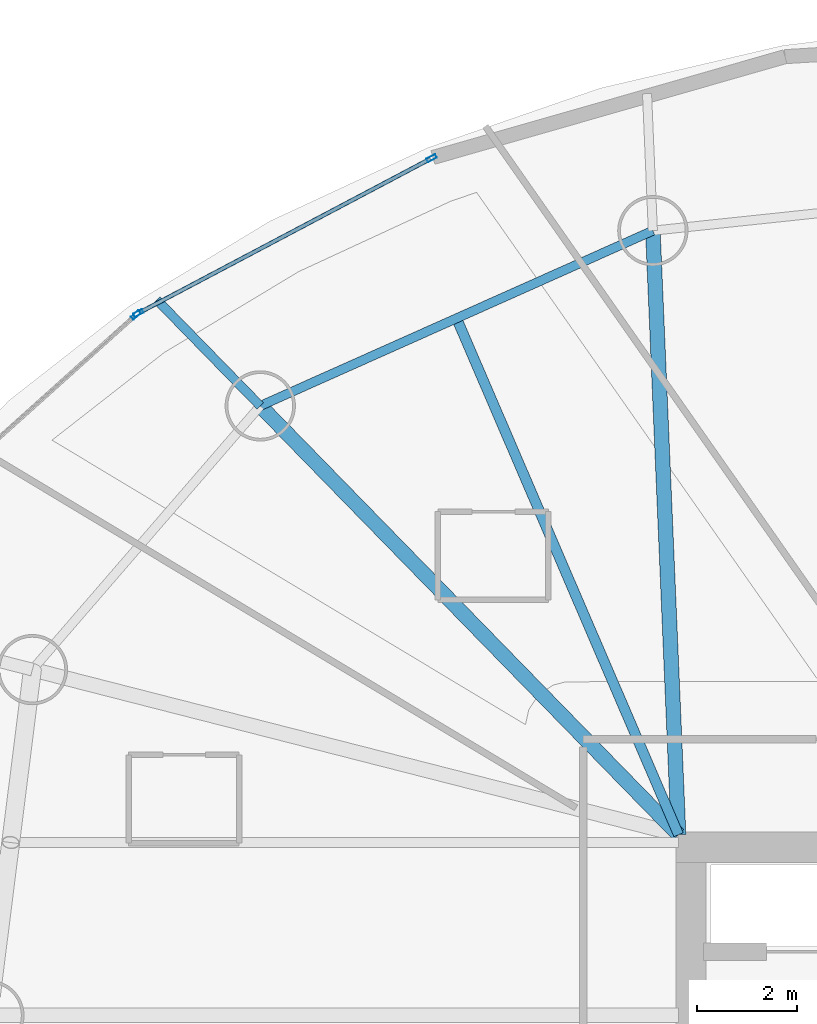
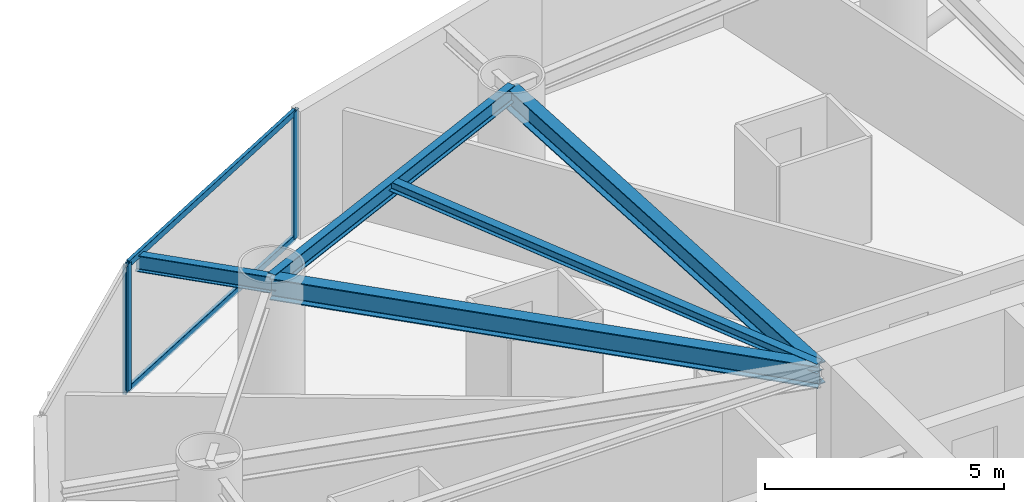
# One storey, part 9 of 20: 5 beams, 5 members, 2 elements without a shape of their own.
"""IFC4 building model written with IfcOpenShell, lengths in metres."""

from ifc_helpers import new_model, si_unit, direction, frame, origin, origin_2d, place, context, subcontext, project, spatial, hollow_rectangle, i_section, extrude, material, layer, layer_set, material_profile, profile_set, type_object, element, aggregate, save


model = new_model("IFC4")

# Units and contexts
model_context = context("Model", 3, precision=1e-05, world=origin(), true_north=direction((0.0, 1.0)))
body_context = subcontext(model_context, "Body", "Model", "MODEL_VIEW")
ifc_project = project(units=[si_unit("LENGTHUNIT", "METRE"), si_unit("AREAUNIT", "SQUARE_METRE"), si_unit("VOLUMEUNIT", "CUBIC_METRE"), si_unit("PLANEANGLEUNIT", "RADIAN"), si_unit("MASSUNIT", "GRAM", prefix="KILO")], contexts=[model_context])

# Site, building, storey
site_placement = place(None, origin())
site = spatial("IfcSite", under=ifc_project, at=site_placement, CompositionType="ELEMENT")
building_placement = place(site_placement, origin())
building = spatial("IfcBuilding", under=site, at=building_placement, Name="Bramvorn Convention Spire", CompositionType="ELEMENT")
storey_placement = place(building_placement, frame((0.0, 0.0, 106.300048828125)))
storey = spatial("IfcBuildingStorey", under=building, at=storey_placement, Name="L25", CompositionType="ELEMENT", Elevation=106.300048828125)

# Beams
ifc_material_1 = material(Name="Steel CSA G40.21 Grade 350 (350W)", Category="steel")
ifc_material_profile_1 = material_profile(ifc_material_1, i_section(OverallWidth=0.201904296875, OverallDepth=0.2470703125, WebThickness=0.00732421875, FlangeThickness=0.010986328125, FilletRadius=0.011962890625, at=origin_2d()))
ifc_profile_set_1 = profile_set([ifc_material_profile_1], Name="Steel CSA G40.21 Grade 350 (350W) - W250X49")
beam_type_1 = type_object("IfcBeamType", Name="BM-W250X49", PredefinedType="JOIST", material=ifc_profile_set_1)
beam_1_placement = place(storey_placement, frame((26.75, 33.449951171875, 3.136474609375), z_axis=(-0.394937739893, 0.918707886985, 0.0), x_axis=(-0.918707886985, -0.394937739893, 0.0)))
element("IfcBeam", 1, at=beam_1_placement, inside=storey, type_object=beam_type_1, Name="L25 composite floor joist 07", PredefinedType="JOIST", context=body_context, shape_type="SweptSolid", body=[
    extrude(i_section(OverallWidth=0.201904296875, OverallDepth=0.2470703125, WebThickness=0.00732421875, FlangeThickness=0.010986328125, FilletRadius=0.011962890625, at=origin_2d()), origin(), (0.0, 0.0, 1.0), 11.19384765625),
])
ifc_material_profile_2 = material_profile(ifc_material_1, i_section(OverallWidth=0.180908203125, OverallDepth=0.4169921875, WebThickness=0.010986328125, FlangeThickness=0.018310546875, FilletRadius=0.01611328125, at=origin_2d()))
ifc_profile_set_2 = profile_set([ifc_material_profile_2], Name="Steel CSA G40.21 Grade 350 (350W) - W410X85")
beam_type_2 = type_object("IfcBeamType", Name="BM-W410X85", PredefinedType="JOIST", material=ifc_profile_set_2)
beam_2_placement = place(storey_placement, frame((26.23828125, 45.478759765625, 3.051513671875), z_axis=(-0.913169534701, -0.407579931908, 0.0), x_axis=(0.407579931908, -0.913169534701, 0.0)))
element("IfcBeam", 2, at=beam_2_placement, inside=storey, type_object=beam_type_2, Name="L25 mega-column ring beam 07", PredefinedType="JOIST", context=body_context, shape_type="SweptSolid", body=[
    extrude(i_section(OverallWidth=0.180908203125, OverallDepth=0.4169921875, WebThickness=0.010986328125, FlangeThickness=0.018310546875, FilletRadius=0.01611328125, at=origin_2d()), origin(), (0.0, 0.0, 1.0), 8.5615234375),
])
beam_3_placement = place(storey_placement, frame((18.420166015625, 41.9892578125, 3.0263671875), z_axis=(-0.698314536817, 0.715791036315, 0.0), x_axis=(-0.715791036315, -0.698314536817, 0.0)))
element("IfcBeam", 3, at=beam_3_placement, inside=storey, type_object=beam_type_2, Name="L25 Sky-Garden cantilever tip girder MC08", PredefinedType="JOIST", context=body_context, shape_type="SweptSolid", body=[
    extrude(i_section(OverallWidth=0.180908203125, OverallDepth=0.4169921875, WebThickness=0.010986328125, FlangeThickness=0.018310546875, FilletRadius=0.01611328125, at=origin_2d()), origin(), (0.0, 0.0, 1.0), 2.947509765625),
])
ifc_material_profile_3 = material_profile(ifc_material_1, i_section(OverallWidth=0.2919921875, OverallDepth=0.551025390625, WebThickness=0.01513671875, FlangeThickness=0.0244140625, FilletRadius=0.01904296875, at=origin_2d()))
ifc_profile_set_3 = profile_set([ifc_material_profile_3], Name="Steel CSA G40.21 Grade 350 (350W) - W530X182")
beam_type_3 = type_object("IfcBeamType", Name="BM-W530X182", PredefinedType="BEAM", material=ifc_profile_set_3)
beam_4_placement = place(storey_placement, frame((26.75, 33.449951171875, 2.95947265625), z_axis=(-0.042502657955, 0.999096353745, 0.0), x_axis=(-0.999096353745, -0.042502657955, 0.0)))
element("IfcBeam", 4, at=beam_4_placement, inside=storey, type_object=beam_type_3, Name="L25 Sky-Garden back-span radial girder MC07", PredefinedType="BEAM", context=body_context, shape_type="SweptSolid", body=[
    extrude(i_section(OverallWidth=0.2919921875, OverallDepth=0.551025390625, WebThickness=0.01513671875, FlangeThickness=0.0244140625, FilletRadius=0.01904296875, at=origin_2d()), origin(), (0.0, 0.0, 1.0), 12.039794921875),
])
beam_5_placement = place(storey_placement, frame((26.75, 33.449951171875, 2.95947265625), z_axis=(-0.698272445638, 0.715832097397, 0.0), x_axis=(-0.715832097397, -0.698272445638, 0.0)))
element("IfcBeam", 5, at=beam_5_placement, inside=storey, type_object=beam_type_3, Name="L25 Sky-Garden back-span radial girder MC08", PredefinedType="BEAM", context=body_context, shape_type="SweptSolid", body=[
    extrude(i_section(OverallWidth=0.2919921875, OverallDepth=0.551025390625, WebThickness=0.01513671875, FlangeThickness=0.0244140625, FilletRadius=0.01904296875, at=origin_2d()), origin(), (0.0, 0.0, 1.0), 11.92919921875),
])

# Curtain wall, members
ifc_material_2 = material(Name="Anodised Bronze Unitised Curtain Wall", Category="aluminium")
ifc_layer = layer(ifc_material_2, 0.179931640625)
ifc_layer_set = layer_set([ifc_layer], Name="Anodised Bronze Unitised Curtain Wall - CW-HTL-FRIT")
curtain_wall_type = type_object("IfcCurtainWallType", Name="CW-HTL-FRIT", PredefinedType="USERDEFINED", material=ifc_layer_set)
curtain_wall_1_placement = place(storey_placement, origin())
curtain_wall_1 = element("IfcCurtainWall", 6, at=curtain_wall_1_placement, inside=storey, type_object=curtain_wall_type, Name="L25 fritted glass curtain wall 10", ObjectType="UNITISED CURTAIN WALL", PredefinedType="USERDEFINED")
ifc_material_3 = material(Name="Anodised Bronze Aluminium 6063-T6", Category="aluminium")
ifc_material_profile_4 = material_profile(ifc_material_3, hollow_rectangle(XDim=0.080078125, YDim=0.199951171875, WallThickness=0.00390625, InnerFilletRadius=0.0009765625, OuterFilletRadius=0.00390625, at=origin_2d()))
ifc_profile_set_4 = profile_set([ifc_material_profile_4], Name="Anodised Bronze Aluminium 6063-T6 - CWM80X200")
member_type_1 = type_object("IfcMemberType", Name="CW-MUL-180", PredefinedType="MULLION", material=ifc_profile_set_4)
member_1_placement = place(storey_placement, frame((15.99365234375, 43.83642578125, 0.0), z_axis=(0.0, 0.0, 1.0), x_axis=(-0.46734786767, 0.884073509717, 0.0)))
member_1 = element("IfcMember", 7, at=member_1_placement, type_object=member_type_1, Name="CW2 mullion 1", PredefinedType="MULLION", context=body_context, shape_type="SweptSolid", body=[
    extrude(hollow_rectangle(XDim=0.080078125, YDim=0.199951171875, WallThickness=0.00390625, InnerFilletRadius=0.0009765625, OuterFilletRadius=0.00390625, at=origin_2d()), origin(), (0.0, 0.0, 1.0), 3.260009765625),
])
member_2_placement = place(storey_placement, frame((21.8330078125, 46.923095703125, 0.0), z_axis=(0.0, 0.0, 1.0), x_axis=(-0.46734786767, 0.884073509717, 0.0)))
member_2 = element("IfcMember", 8, at=member_2_placement, type_object=member_type_1, Name="CW2 mullion 2", PredefinedType="MULLION", context=body_context, shape_type="SweptSolid", body=[
    extrude(hollow_rectangle(XDim=0.080078125, YDim=0.199951171875, WallThickness=0.00390625, InnerFilletRadius=0.0009765625, OuterFilletRadius=0.00390625, at=origin_2d()), origin(), (0.0, 0.0, 1.0), 3.260009765625),
])

# Curtain wall, member
curtain_wall_2_placement = place(storey_placement, origin())
curtain_wall_2 = element("IfcCurtainWall", 9, at=curtain_wall_2_placement, inside=storey, type_object=curtain_wall_type, Name="L25 fritted glass curtain wall 11", ObjectType="UNITISED CURTAIN WALL", PredefinedType="USERDEFINED")
member_3_placement = place(storey_placement, frame((15.94482421875, 43.80224609375, 0.0), z_axis=(0.0, 0.0, 1.0), x_axis=(-0.66793364502, 0.744220831373, 0.0)))
member_3 = element("IfcMember", 10, at=member_3_placement, type_object=member_type_1, Name="CW2 mullion 2", PredefinedType="MULLION", context=body_context, shape_type="SweptSolid", body=[
    extrude(hollow_rectangle(XDim=0.080078125, YDim=0.199951171875, WallThickness=0.00390625, InnerFilletRadius=0.0009765625, OuterFilletRadius=0.00390625, at=origin_2d()), origin(), (0.0, 0.0, 1.0), 3.260009765625),
])
aggregate(curtain_wall_2, [member_3])

# Member
ifc_material_profile_5 = material_profile(ifc_material_3, hollow_rectangle(XDim=0.080078125, YDim=0.159912109375, WallThickness=0.00390625, InnerFilletRadius=0.0009765625, OuterFilletRadius=0.00390625, at=origin_2d()))
ifc_profile_set_5 = profile_set([ifc_material_profile_5], Name="Anodised Bronze Aluminium 6063-T6 - CWT80X160")
member_type_2 = type_object("IfcMemberType", Name="CW-TRN-150", PredefinedType="USERDEFINED", material=ifc_profile_set_5)
member_4_placement = place(storey_placement, frame((16.020263671875, 43.850341796875, 0.030029296875), z_axis=(0.884074465169, 0.467346060255, 0.0), x_axis=(-0.467346060255, 0.884074465169, 0.0)))
member_4 = element("IfcMember", 11, at=member_4_placement, type_object=member_type_2, Name="CW2 transom 1.1", ObjectType="TRANSOM", PredefinedType="USERDEFINED", context=body_context, shape_type="SweptSolid", body=[
    extrude(hollow_rectangle(XDim=0.080078125, YDim=0.159912109375, WallThickness=0.00390625, InnerFilletRadius=0.0009765625, OuterFilletRadius=0.00390625, at=origin_2d()), origin(), (0.0, 0.0, 1.0), 6.545166015625),
])

member_5_placement = place(storey_placement, frame((16.020263671875, 43.850341796875, 3.22998046875), z_axis=(0.884074465169, 0.467346060255, 0.0), x_axis=(-0.467346060255, 0.884074465169, 0.0)))
member_5 = element("IfcMember", 12, at=member_5_placement, type_object=member_type_2, Name="CW2 transom 1.2", ObjectType="TRANSOM", PredefinedType="USERDEFINED", context=body_context, shape_type="SweptSolid", body=[
    extrude(hollow_rectangle(XDim=0.080078125, YDim=0.159912109375, WallThickness=0.00390625, InnerFilletRadius=0.0009765625, OuterFilletRadius=0.00390625, at=origin_2d()), origin(), (0.0, 0.0, 1.0), 6.545166015625),
])

aggregate(curtain_wall_1, [member_1, member_2, member_4, member_5])

save(model, "model.ifc")
